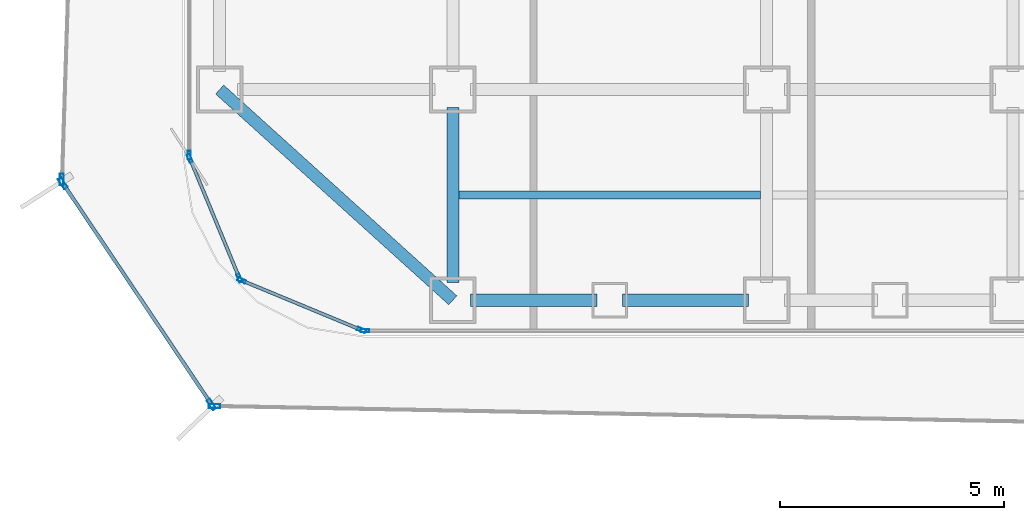
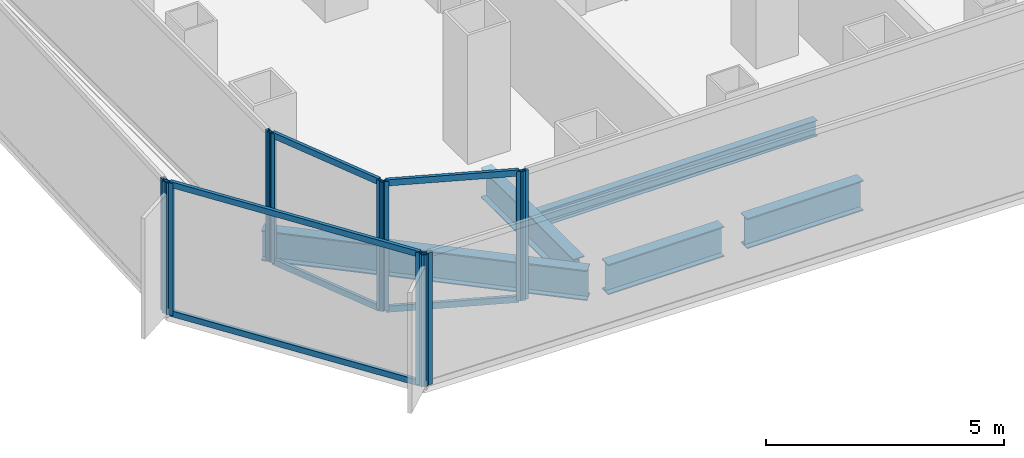
# One storey, part 2 of 22: 16 members, 5 beams, 7 elements without a shape of their own.
"""IFC4 building model written with IfcOpenShell, lengths in metres."""

from ifc_helpers import new_model, si_unit, direction, frame, origin, origin_2d, place, context, subcontext, project, spatial, hollow_rectangle, i_section, extrude, source, transform, mapped, material, layer, layer_set, material_profile, profile_set, type_object, element, aggregate, save


model = new_model("IFC4")

# Units and contexts
model_context = context("Model", 3, precision=1e-05, world=origin(), true_north=direction((0.0, 1.0)))
body_context = subcontext(model_context, "Body", "Model", "MODEL_VIEW")
ifc_project = project(units=[si_unit("LENGTHUNIT", "METRE"), si_unit("AREAUNIT", "SQUARE_METRE"), si_unit("VOLUMEUNIT", "CUBIC_METRE"), si_unit("PLANEANGLEUNIT", "RADIAN"), si_unit("MASSUNIT", "GRAM", prefix="KILO")], contexts=[model_context])

# Site, building, storey
site_placement = place(None, origin())
site = spatial("IfcSite", under=ifc_project, at=site_placement, CompositionType="ELEMENT")
building_placement = place(site_placement, origin())
building = spatial("IfcBuilding", under=site, at=building_placement, Name="Kolveth Station Tower", CompositionType="ELEMENT")
storey_placement = place(building_placement, frame((0.0, 0.0, 69.300048828125)))
storey = spatial("IfcBuildingStorey", under=building, at=storey_placement, Name="L18", CompositionType="ELEMENT", Elevation=69.300048828125)

# Beams
ifc_material_1 = material(Name="Steel S355", Category="steel")
ifc_material_profile_1 = material_profile(ifc_material_1, i_section(OverallWidth=0.26904296875, OverallDepth=0.77490234375, WebThickness=0.01708984375, FlangeThickness=0.0283203125, at=origin_2d()), Name="W760x220")
ifc_profile_set_1 = profile_set([ifc_material_profile_1], Name="Steel S355")
beam_type_1 = type_object("IfcBeamType", Name="Beam_SP1", PredefinedType="SPANDREL", material=ifc_profile_set_1)
shared_shape_1 = source(origin(), body_context, "Body", "SweptSolid", [
    extrude(i_section(OverallWidth=0.26904296875, OverallDepth=0.77490234375, WebThickness=0.01708984375, FlangeThickness=0.0283203125, at=origin_2d()), origin(), (0.0, 0.0, 1.0), 7.00927734375),
])
beam_1_placement = place(storey_placement, frame((0.800048828125, 5.5, -0.66748046875), z_axis=(0.741874009795, -0.670539300557, 0.0), x_axis=(0.670539300557, 0.741874009795, 0.0)))
element("IfcBeam", 1, at=beam_1_placement, inside=storey, type_object=beam_type_1, Name="L18 Corner Edge Girder BM-L18-CNR-SW", PredefinedType="SPANDREL", context=body_context, shape_type="MappedRepresentation", body=[
    mapped(shared_shape_1, transform((0.0, 0.0, 0.0), x_axis=(1.0, 0.0, 0.0), y_axis=(0.0, 1.0, 0.0), z_axis=(0.0, 0.0, 1.0), scale=1.0)),
])
shared_shape_2 = source(origin(), body_context, "Body", "SweptSolid", [
    extrude(i_section(OverallWidth=0.26904296875, OverallDepth=0.77490234375, WebThickness=0.01708984375, FlangeThickness=0.0283203125, at=origin_2d()), origin(), (0.0, 0.0, 1.0), 2.820068359375),
])
for number, where, z_axis, x_axis, name in (
    (2, (6.39990234375, 0.800048828125, -0.66748046875), (1.0, 0.0, 0.0), (0.0, 1.0, 0.0), "L18 Perimeter Spandrel BM-L18-PS-1"),
    (3, (9.780029296875, 0.800048828125, -0.66748046875), (1.0, 0.0, 0.0), (0.0, 1.0, 0.0), "L18 Perimeter Spandrel BM-L18-PS-2"),
):
    element("IfcBeam", number, at=place(storey_placement, frame(where, z_axis=z_axis, x_axis=x_axis)), inside=storey, type_object=beam_type_1, Name=name, PredefinedType="SPANDREL", context=body_context, shape_type="MappedRepresentation", body=[
        mapped(shared_shape_2, transform((0.0, 0.0, 0.0), x_axis=(1.0, 0.0, 0.0), y_axis=(0.0, 1.0, 0.0), z_axis=(0.0, 0.0, 1.0), scale=1.0)),
    ])
ifc_material_profile_2 = material_profile(ifc_material_1, i_section(OverallWidth=0.26708984375, OverallDepth=0.76611328125, WebThickness=0.014892578125, FlangeThickness=0.023681640625, at=origin_2d()), Name="W760x185")
ifc_profile_set_2 = profile_set([ifc_material_profile_2], Name="Steel S355")
beam_type_2 = type_object("IfcBeamType", Name="Beam_B3", PredefinedType="BEAM", material=ifc_profile_set_2)
shared_shape_3 = source(origin(), body_context, "Body", "SweptSolid", [
    extrude(i_section(OverallWidth=0.26708984375, OverallDepth=0.76611328125, WebThickness=0.014892578125, FlangeThickness=0.023681640625, at=origin_2d()), origin(), (0.0, 0.0, 1.0), 3.900146484375),
])
beam_2_placement = place(storey_placement, frame((6.0, 1.199951171875, -0.6630859375), z_axis=(0.0, 1.0, 0.0), x_axis=(-1.0, 0.0, 0.0)))
element("IfcBeam", 4, at=beam_2_placement, inside=storey, type_object=beam_type_2, Name="L18 Primary Girder BM-L18-GX60-1", PredefinedType="BEAM", context=body_context, shape_type="MappedRepresentation", body=[
    mapped(shared_shape_3, transform((0.0, 0.0, 0.0), x_axis=(1.0, 0.0, 0.0), y_axis=(0.0, 1.0, 0.0), z_axis=(0.0, 0.0, 1.0), scale=1.0)),
])
ifc_material_profile_3 = material_profile(ifc_material_1, i_section(OverallWidth=0.177978515625, OverallDepth=0.406982421875, WebThickness=0.0078125, FlangeThickness=0.0126953125, at=origin_2d()), Name="W410x60")
ifc_profile_set_3 = profile_set([ifc_material_profile_3], Name="Steel S355")
beam_type_3 = type_object("IfcBeamType", Name="Beam_J1", PredefinedType="JOIST", material=ifc_profile_set_3)
shared_shape_4 = source(origin(), body_context, "Body", "SweptSolid", [
    extrude(i_section(OverallWidth=0.177978515625, OverallDepth=0.406982421875, WebThickness=0.0078125, FlangeThickness=0.0126953125, at=origin_2d()), origin(), (0.0, 0.0, 1.0), 6.73681640625),
])
beam_3_placement = place(storey_placement, frame((6.131591796875, 3.14990234375, -0.483642578125), z_axis=(1.0, 0.0, 0.0), x_axis=(0.0, 1.0, 0.0)))
element("IfcBeam", 5, at=beam_3_placement, inside=storey, type_object=beam_type_3, Name="L18 Secondary Joist JST-L18-2-1", PredefinedType="JOIST", context=body_context, shape_type="MappedRepresentation", body=[
    mapped(shared_shape_4, transform((0.0, 0.0, 0.0), x_axis=(1.0, 0.0, 0.0), y_axis=(0.0, 1.0, 0.0), z_axis=(0.0, 0.0, 1.0), scale=1.0)),
])

# Curtain wall, member
ifc_material_2 = material(Name="Aluminium 6063-T6 and low-E dark glass", Category="aluminium")
ifc_layer_1 = layer(ifc_material_2, 0.179931640625)
ifc_layer_set_1 = layer_set([ifc_layer_1], Name="Aluminium 6063-T6 and low-E dark glass")
curtain_wall_type_1 = type_object("IfcCurtainWallType", Name="CurtainWall_CW-Z1", PredefinedType="NOTDEFINED", material=ifc_layer_set_1)
curtain_wall_1_placement = place(storey_placement, origin())
curtain_wall_1 = element("IfcCurtainWall", 6, at=curtain_wall_1_placement, inside=storey, type_object=curtain_wall_type_1, Name="L18 Inner Thermal Curtain Wall 9", PredefinedType="NOTDEFINED")
ifc_material_3 = material(Name="Black anodized aluminium 6063-T6", Category="aluminium")
ifc_material_profile_4 = material_profile(ifc_material_3, hollow_rectangle(XDim=0.074951171875, YDim=0.18994140625, WallThickness=0.0048828125, at=origin_2d()), Name="ALU-75x190x5")
ifc_profile_set_4 = profile_set([ifc_material_profile_4], Name="Black anodized aluminium 6063-T6")
member_type_1 = type_object("IfcMemberType", Name="Mullion_ML1", PredefinedType="MULLION", material=ifc_profile_set_4)
shared_shape_5 = source(origin(), body_context, "Body", "SweptSolid", [
    extrude(hollow_rectangle(XDim=0.074951171875, YDim=0.18994140625, WallThickness=0.0048828125, at=origin_2d()), origin(), (0.0, 0.0, 1.0), 3.320068359375),
])
member_1_placement = place(storey_placement, frame((0.1201171875, 4.03759765625, 0.0), z_axis=(0.0, 0.0, 1.0), x_axis=(1.0, 0.0, 0.0)))
member_1 = element("IfcMember", 7, at=member_1_placement, type_object=member_type_1, Name="CW-Z1 mullion 2", PredefinedType="MULLION", context=body_context, shape_type="MappedRepresentation", body=[
    mapped(shared_shape_5, transform((0.0, 0.0, 0.0), x_axis=(1.0, 0.0, 0.0), y_axis=(0.0, 1.0, 0.0), z_axis=(0.0, 0.0, 1.0), scale=1.0)),
])
aggregate(curtain_wall_1, [member_1])

# Curtain wall, members
curtain_wall_2_placement = place(storey_placement, origin())
curtain_wall_2 = element("IfcCurtainWall", 8, at=curtain_wall_2_placement, inside=storey, type_object=curtain_wall_type_1, Name="L18 Inner Thermal Curtain Wall 10", PredefinedType="NOTDEFINED")
member_2_placement = place(storey_placement, frame((0.13427734375, 3.96533203125, 0.0), z_axis=(0.0, 0.0, 1.0), x_axis=(0.923883857728, 0.382672990201, 0.0)))
member_2 = element("IfcMember", 9, at=member_2_placement, type_object=member_type_1, Name="CW-Z1 mullion 1", PredefinedType="MULLION", context=body_context, shape_type="MappedRepresentation", body=[
    mapped(shared_shape_5, transform((0.0, 0.0, 0.0), x_axis=(1.0, 0.0, 0.0), y_axis=(0.0, 1.0, 0.0), z_axis=(0.0, 0.0, 1.0), scale=1.0)),
])
member_3_placement = place(storey_placement, frame((1.241943359375, 1.291015625, 0.0), z_axis=(0.0, 0.0, 1.0), x_axis=(0.923883857728, 0.382672990201, 0.0)))
member_3 = element("IfcMember", 10, at=member_3_placement, type_object=member_type_1, Name="CW-Z1 mullion 2", PredefinedType="MULLION", context=body_context, shape_type="MappedRepresentation", body=[
    mapped(shared_shape_5, transform((0.0, 0.0, 0.0), x_axis=(1.0, 0.0, 0.0), y_axis=(0.0, 1.0, 0.0), z_axis=(0.0, 0.0, 1.0), scale=1.0)),
])

curtain_wall_3_placement = place(storey_placement, origin())
curtain_wall_3 = element("IfcCurtainWall", 11, at=curtain_wall_3_placement, inside=storey, type_object=curtain_wall_type_1, Name="L18 Inner Thermal Curtain Wall 11", PredefinedType="NOTDEFINED")
member_4_placement = place(storey_placement, frame((1.291015625, 1.241943359375, 0.0), z_axis=(0.0, 0.0, 1.0), x_axis=(0.382672990201, 0.923883857728, 0.0)))
member_4 = element("IfcMember", 12, at=member_4_placement, type_object=member_type_1, Name="CW-Z1 mullion 1", PredefinedType="MULLION", context=body_context, shape_type="MappedRepresentation", body=[
    mapped(shared_shape_5, transform((0.0, 0.0, 0.0), x_axis=(1.0, 0.0, 0.0), y_axis=(0.0, 1.0, 0.0), z_axis=(0.0, 0.0, 1.0), scale=1.0)),
])
member_5_placement = place(storey_placement, frame((3.96533203125, 0.13427734375, 0.0), z_axis=(0.0, 0.0, 1.0), x_axis=(0.382672990201, 0.923883857728, 0.0)))
member_5 = element("IfcMember", 13, at=member_5_placement, type_object=member_type_1, Name="CW-Z1 mullion 2", PredefinedType="MULLION", context=body_context, shape_type="MappedRepresentation", body=[
    mapped(shared_shape_5, transform((0.0, 0.0, 0.0), x_axis=(1.0, 0.0, 0.0), y_axis=(0.0, 1.0, 0.0), z_axis=(0.0, 0.0, 1.0), scale=1.0)),
])

# Curtain wall, member
curtain_wall_4_placement = place(storey_placement, origin())
curtain_wall_4 = element("IfcCurtainWall", 14, at=curtain_wall_4_placement, inside=storey, type_object=curtain_wall_type_1, Name="L18 Inner Thermal Curtain Wall 12", PredefinedType="NOTDEFINED")
member_6_placement = place(storey_placement, frame((4.03759765625, 0.1201171875, 0.0), z_axis=(0.0, 0.0, 1.0), x_axis=(0.0, 1.0, 0.0)))
member_6 = element("IfcMember", 15, at=member_6_placement, type_object=member_type_1, Name="CW-Z1 mullion 1", PredefinedType="MULLION", context=body_context, shape_type="MappedRepresentation", body=[
    mapped(shared_shape_5, transform((0.0, 0.0, 0.0), x_axis=(1.0, 0.0, 0.0), y_axis=(0.0, 1.0, 0.0), z_axis=(0.0, 0.0, 1.0), scale=1.0)),
])
aggregate(curtain_wall_4, [member_6])

# Member
ifc_material_profile_5 = material_profile(ifc_material_3, hollow_rectangle(XDim=0.074951171875, YDim=0.159912109375, WallThickness=0.0048828125, at=origin_2d()), Name="ALU-75x160x5")
ifc_profile_set_5 = profile_set([ifc_material_profile_5], Name="Black anodized aluminium 6063-T6")
member_type_2 = type_object("IfcMemberType", Name="Transom_TR1", PredefinedType="USERDEFINED", material=ifc_profile_set_5)
shared_shape_6 = source(origin(), body_context, "Body", "SweptSolid", [
    extrude(hollow_rectangle(XDim=0.074951171875, YDim=0.159912109375, WallThickness=0.0048828125, at=origin_2d()), origin(), (0.0, 0.0, 1.0), 2.819580078125),
])
member_7_placement = place(storey_placement, frame((0.148681640625, 3.9306640625, 0.037353515625), z_axis=(0.382708655389, -0.923869084389, 0.0), x_axis=(0.923869084389, 0.382708655389, 0.0)))
member_7 = element("IfcMember", 16, at=member_7_placement, type_object=member_type_2, Name="CW-Z1 transom 1.1", ObjectType="TRANSOM", PredefinedType="USERDEFINED", context=body_context, shape_type="MappedRepresentation", body=[
    mapped(shared_shape_6, transform((0.0, 0.0, 0.0), x_axis=(1.0, 0.0, 0.0), y_axis=(0.0, 1.0, 0.0), z_axis=(0.0, 0.0, 1.0), scale=1.0)),
])

member_8_placement = place(storey_placement, frame((0.148681640625, 3.9306640625, 3.282470703125), z_axis=(0.382708655389, -0.923869084389, 0.0), x_axis=(0.923869084389, 0.382708655389, 0.0)))
member_8 = element("IfcMember", 17, at=member_8_placement, type_object=member_type_2, Name="CW-Z1 transom 1.2", ObjectType="TRANSOM", PredefinedType="USERDEFINED", context=body_context, shape_type="MappedRepresentation", body=[
    mapped(shared_shape_6, transform((0.0, 0.0, 0.0), x_axis=(1.0, 0.0, 0.0), y_axis=(0.0, 1.0, 0.0), z_axis=(0.0, 0.0, 1.0), scale=1.0)),
])

aggregate(curtain_wall_2, [member_2, member_3, member_7, member_8])

member_9_placement = place(storey_placement, frame((1.32568359375, 1.227783203125, 0.037353515625), z_axis=(0.923869084389, -0.382708655389, 0.0), x_axis=(0.382708655389, 0.923869084389, 0.0)))
member_9 = element("IfcMember", 18, at=member_9_placement, type_object=member_type_2, Name="CW-Z1 transom 1.1", ObjectType="TRANSOM", PredefinedType="USERDEFINED", context=body_context, shape_type="MappedRepresentation", body=[
    mapped(shared_shape_6, transform((0.0, 0.0, 0.0), x_axis=(1.0, 0.0, 0.0), y_axis=(0.0, 1.0, 0.0), z_axis=(0.0, 0.0, 1.0), scale=1.0)),
])

member_10_placement = place(storey_placement, frame((1.32568359375, 1.227783203125, 3.282470703125), z_axis=(0.923869084389, -0.382708655389, 0.0), x_axis=(0.382708655389, 0.923869084389, 0.0)))
member_10 = element("IfcMember", 19, at=member_10_placement, type_object=member_type_2, Name="CW-Z1 transom 1.2", ObjectType="TRANSOM", PredefinedType="USERDEFINED", context=body_context, shape_type="MappedRepresentation", body=[
    mapped(shared_shape_6, transform((0.0, 0.0, 0.0), x_axis=(1.0, 0.0, 0.0), y_axis=(0.0, 1.0, 0.0), z_axis=(0.0, 0.0, 1.0), scale=1.0)),
])

aggregate(curtain_wall_3, [member_4, member_5, member_9, member_10])

# Curtain wall, member
ifc_material_4 = material(Name="Black anodized aluminium 6063-T6 and dark solar glass", Category="aluminium")
ifc_layer_2 = layer(ifc_material_4, 0.159912109375)
ifc_layer_set_2 = layer_set([ifc_layer_2], Name="Black anodized aluminium 6063-T6 and dark solar glass")
curtain_wall_type_2 = type_object("IfcCurtainWallType", Name="OUTER SKIN CW-OS", PredefinedType="NOTDEFINED", material=ifc_layer_set_2)
curtain_wall_5_placement = place(storey_placement, origin())
curtain_wall_5 = element("IfcCurtainWall", 20, at=curtain_wall_5_placement, inside=storey, type_object=curtain_wall_type_2, Name="L18 Outer Ventilated Skin Curtain Wall 6", PredefinedType="NOTDEFINED")
ifc_material_profile_6 = material_profile(ifc_material_3, hollow_rectangle(XDim=0.090087890625, YDim=0.260009765625, WallThickness=0.0048828125, at=origin_2d()), Name="ALU-90x260x5")
ifc_profile_set_6 = profile_set([ifc_material_profile_6], Name="Black anodized aluminium 6063-T6")
member_type_3 = type_object("IfcMemberType", Name="FIN MULLION ML-OS", PredefinedType="MULLION", material=ifc_profile_set_6)
shared_shape_7 = source(origin(), body_context, "Body", "SweptSolid", [
    extrude(hollow_rectangle(XDim=0.090087890625, YDim=0.260009765625, WallThickness=0.0048828125, at=origin_2d()), origin(), (0.0, 0.0, 1.0), 3.389892578125),
])
member_11_placement = place(storey_placement, frame((-2.72265625, 3.493408203125, 0.0), z_axis=(0.0, 0.0, 1.0), x_axis=(0.999477132811, -0.032333589159, 0.0)))
member_11 = element("IfcMember", 21, at=member_11_placement, type_object=member_type_3, Name="CW-OS mullion 2", PredefinedType="MULLION", context=body_context, shape_type="MappedRepresentation", body=[
    mapped(shared_shape_7, transform((0.0, 0.0, 0.0), x_axis=(1.0, 0.0, 0.0), y_axis=(0.0, 1.0, 0.0), z_axis=(0.0, 0.0, 1.0), scale=1.0)),
])
aggregate(curtain_wall_5, [member_11])

# Curtain wall, members
curtain_wall_6_placement = place(storey_placement, origin())
curtain_wall_6 = element("IfcCurtainWall", 22, at=curtain_wall_6_placement, inside=storey, type_object=curtain_wall_type_2, Name="L18 Outer Ventilated Skin Curtain Wall 7", PredefinedType="NOTDEFINED")
member_12_placement = place(storey_placement, frame((-2.69921875, 3.4111328125, 0.0), z_axis=(0.0, 0.0, 1.0), x_axis=(0.830028870379, 0.557720426681, 0.0)))
member_12 = element("IfcMember", 23, at=member_12_placement, type_object=member_type_3, Name="CW-OS mullion 1", PredefinedType="MULLION", context=body_context, shape_type="MappedRepresentation", body=[
    mapped(shared_shape_7, transform((0.0, 0.0, 0.0), x_axis=(1.0, 0.0, 0.0), y_axis=(0.0, 1.0, 0.0), z_axis=(0.0, 0.0, 1.0), scale=1.0)),
])
member_13_placement = place(storey_placement, frame((0.617431640625, -1.524658203125, 0.0), z_axis=(0.0, 0.0, 1.0), x_axis=(0.830028870379, 0.557720426681, 0.0)))
member_13 = element("IfcMember", 24, at=member_13_placement, type_object=member_type_3, Name="CW-OS mullion 2", PredefinedType="MULLION", context=body_context, shape_type="MappedRepresentation", body=[
    mapped(shared_shape_7, transform((0.0, 0.0, 0.0), x_axis=(1.0, 0.0, 0.0), y_axis=(0.0, 1.0, 0.0), z_axis=(0.0, 0.0, 1.0), scale=1.0)),
])

# Curtain wall, member
curtain_wall_7_placement = place(storey_placement, origin())
curtain_wall_7 = element("IfcCurtainWall", 25, at=curtain_wall_7_placement, inside=storey, type_object=curtain_wall_type_2, Name="L18 Outer Ventilated Skin Curtain Wall 8", PredefinedType="NOTDEFINED")
member_14_placement = place(storey_placement, frame((0.6875, -1.56298828125, 0.0), z_axis=(0.0, 0.0, 1.0), x_axis=(0.019127364348, 0.999817055232, 0.0)))
member_14 = element("IfcMember", 26, at=member_14_placement, type_object=member_type_3, Name="CW-OS mullion 1", PredefinedType="MULLION", context=body_context, shape_type="MappedRepresentation", body=[
    mapped(shared_shape_7, transform((0.0, 0.0, 0.0), x_axis=(1.0, 0.0, 0.0), y_axis=(0.0, 1.0, 0.0), z_axis=(0.0, 0.0, 1.0), scale=1.0)),
])
aggregate(curtain_wall_7, [member_14])

# Member
ifc_material_profile_7 = material_profile(ifc_material_3, hollow_rectangle(XDim=0.080078125, YDim=0.14990234375, WallThickness=0.0048828125, at=origin_2d()), Name="ALU-80x150x5")
ifc_profile_set_7 = profile_set([ifc_material_profile_7], Name="Black anodized aluminium 6063-T6")
member_type_4 = type_object("IfcMemberType", Name="Transom_TR-OS", PredefinedType="USERDEFINED", material=ifc_profile_set_7)
shared_shape_8 = source(origin(), body_context, "Body", "SweptSolid", [
    extrude(hollow_rectangle(XDim=0.080078125, YDim=0.14990234375, WallThickness=0.0048828125, at=origin_2d()), origin(), (0.0, 0.0, 1.0), 5.8564453125),
])
member_15_placement = place(storey_placement, frame((-2.674072265625, 3.373779296875, 0.0400390625), z_axis=(0.557726822389, -0.830024572882, 0.0), x_axis=(0.830024572882, 0.557726822389, 0.0)))
member_15 = element("IfcMember", 27, at=member_15_placement, type_object=member_type_4, Name="CW-OS transom 1.1", ObjectType="TRANSOM", PredefinedType="USERDEFINED", context=body_context, shape_type="MappedRepresentation", body=[
    mapped(shared_shape_8, transform((0.0, 0.0, 0.0), x_axis=(1.0, 0.0, 0.0), y_axis=(0.0, 1.0, 0.0), z_axis=(0.0, 0.0, 1.0), scale=1.0)),
])

member_16_placement = place(storey_placement, frame((-2.674072265625, 3.373779296875, 3.349853515625), z_axis=(0.557726822389, -0.830024572882, 0.0), x_axis=(0.830024572882, 0.557726822389, 0.0)))
member_16 = element("IfcMember", 28, at=member_16_placement, type_object=member_type_4, Name="CW-OS transom 1.2", ObjectType="TRANSOM", PredefinedType="USERDEFINED", context=body_context, shape_type="MappedRepresentation", body=[
    mapped(shared_shape_8, transform((0.0, 0.0, 0.0), x_axis=(1.0, 0.0, 0.0), y_axis=(0.0, 1.0, 0.0), z_axis=(0.0, 0.0, 1.0), scale=1.0)),
])

aggregate(curtain_wall_6, [member_12, member_13, member_15, member_16])

save(model, "model.ifc")
